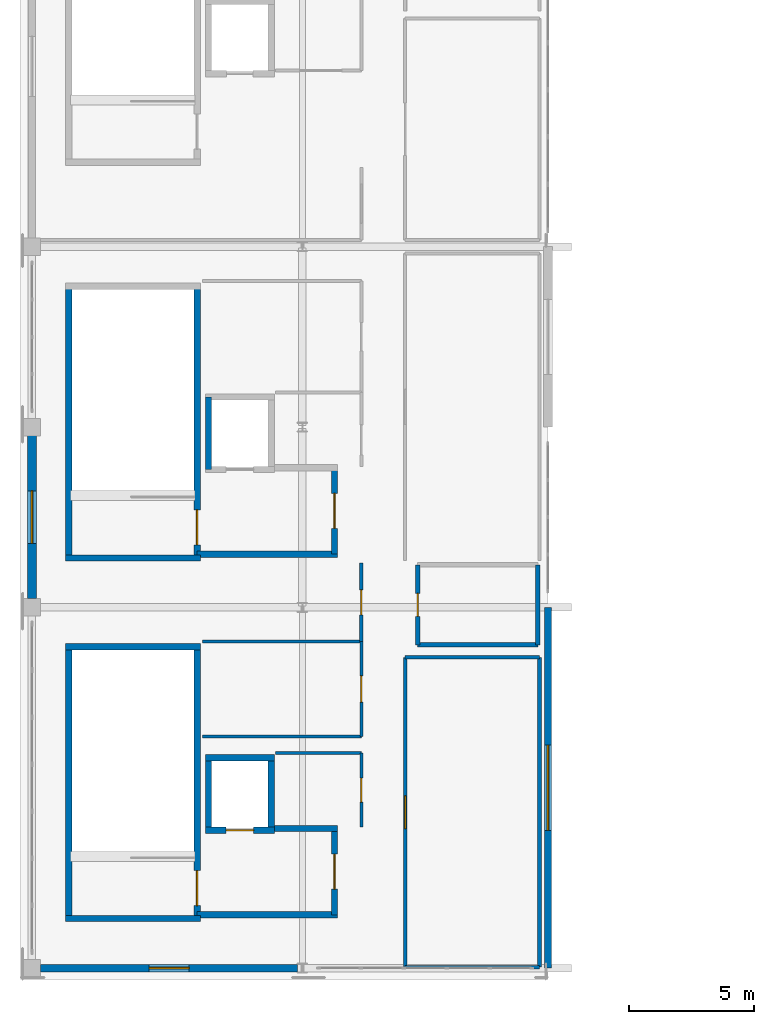
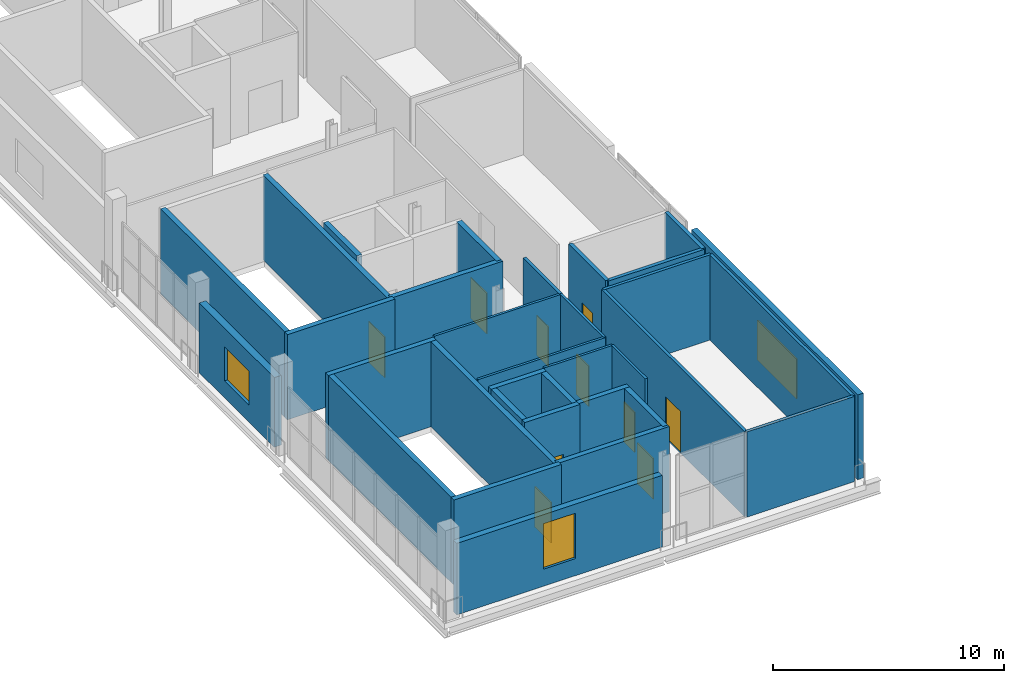
# One storey, part 12 of 19: 33 walls, 10 doors, 3 windows, 13 openings.
"""IFC4 building model written with IfcOpenShell, lengths in metres."""

from ifc_helpers import new_model, si_unit, direction, frame, frame_2d, origin, place, context, subcontext, project, spatial, rectangle, extrude, material, layer, layer_set, type_object, element, fill, save


model = new_model("IFC4")

# Units and contexts
model_context = context("Model", 3, precision=1e-05, world=origin(), true_north=direction((0.0, 1.0)))
body_context = subcontext(model_context, "Body", "Model", "MODEL_VIEW")
ifc_project = project(units=[si_unit("LENGTHUNIT", "METRE"), si_unit("AREAUNIT", "SQUARE_METRE"), si_unit("VOLUMEUNIT", "CUBIC_METRE"), si_unit("PLANEANGLEUNIT", "RADIAN"), si_unit("MASSUNIT", "GRAM", prefix="KILO")], contexts=[model_context])

# Site, building, storey
site_placement = place(None, origin())
site = spatial("IfcSite", under=ifc_project, at=site_placement, CompositionType="ELEMENT")
building_placement = place(site_placement, origin())
building = spatial("IfcBuilding", under=site, at=building_placement, Name="Koshinbarg Plaza Stadium", CompositionType="ELEMENT")
storey_placement = place(building_placement, frame((0.0, 0.0, 29.39990234375)))
storey = spatial("IfcBuildingStorey", under=building, at=storey_placement, Name="L06", CompositionType="ELEMENT", Elevation=29.39990234375)

# Walls
ifc_material_1 = material(Name="Concrete C40/50", Category="concrete")
ifc_layer_1 = layer(ifc_material_1, 0.25)
ifc_layer_set_1 = layer_set([ifc_layer_1], Name="Concrete C40/50")
wall_type_1 = type_object("IfcWallType", Name="WL-CORE-250", PredefinedType="SHEAR", material=ifc_layer_set_1)
for number, where, z_axis, x_axis, name in (
    (1, (25.949951171875, 27.47509765625, 0.0), (0.0, 0.0, 1.0), (1.0, 0.0, 0.0), "L06 core stair shear wall C01-near IWL-L06-0025"),
    (2, (31.320068359375, 38.324951171875, 0.0), (0.0, 0.0, 1.0), (-1.0, 0.0, 0.0), "L06 core stair shear wall C01-far IWL-L06-0026"),
):
    element("IfcWall", number, at=place(storey_placement, frame(where, z_axis=z_axis, x_axis=x_axis)), inside=storey, type_object=wall_type_1, Name=name, PredefinedType="SHEAR", context=body_context, shape_type="SweptSolid", body=[
        extrude(rectangle(XDim=5.3701171875, YDim=0.25, at=frame_2d((2.68505859375, 0.0))), origin(), (0.0, 0.0, 1.0), 4.5),
    ])
wall_1_placement = place(storey_placement, frame((26.074951171875, 27.47509765625, 0.0), z_axis=(0.0, 0.0, 1.0), x_axis=(0.0, 1.0, 0.0)))
element("IfcWall", 3, at=wall_1_placement, inside=storey, type_object=wall_type_1, Name="L06 core stair shear wall C01-left IWL-L06-0027", PredefinedType="SHEAR", context=body_context, shape_type="SweptSolid", body=[
    extrude(rectangle(XDim=10.849853515625, YDim=0.25, at=frame_2d((5.4248046875, 0.0))), origin(), (0.0, 0.0, 1.0), 4.5),
])

# Wall, opening, door
wall_2_placement = place(storey_placement, frame((31.195068359375, 27.47509765625, 0.0), z_axis=(0.0, 0.0, 1.0), x_axis=(0.0, 1.0, 0.0)))
wall_2 = element("IfcWall", 4, at=wall_2_placement, inside=storey, type_object=wall_type_1, Name="L06 core stair shear wall C01-right IWL-L06-0028", PredefinedType="SHEAR", context=body_context, shape_type="SweptSolid", body=[
    extrude(rectangle(XDim=10.849853515625, YDim=0.25, at=frame_2d((5.4248046875, 0.0))), origin(), (0.0, 0.0, 1.0), 4.5),
])
opening_1_placement = place(wall_2_placement, frame((0.52001953125, 0.0, 0.0)))
opening_1 = element("IfcOpeningElement", 5, at=opening_1_placement, cuts=wall_2, Name="Opening D-0067", PredefinedType="OPENING", context=body_context, shape_type="SweptSolid", body=[
    extrude(rectangle(XDim=1.39990234375, YDim=2.14990234375, at=frame_2d((0.699951171875, 1.074951171875))), frame((0.0, 0.135009765625, 0.0), z_axis=(0.0, -1.0, 0.0), x_axis=(1.0, 0.0, 0.0)), (0.0, 0.0, 1.0), 0.27001953125),
])
ifc_material_2 = material(Name="Painted galvanized steel fire door", Category="steel")
door_type_1 = type_object("IfcDoorType", Name="DR-STAIR-1400", OperationType="NOTDEFINED", PredefinedType="DOOR", material=ifc_material_2)
door_1_placement = place(opening_1_placement, origin())
door_1 = element("IfcDoor", 6, at=door_1_placement, inside=storey, type_object=door_type_1, Name="L06 exit stair door C01", OperationType="SINGLE_SWING_LEFT", OverallHeight=2.14990234375, OverallWidth=1.39990234375, PredefinedType="DOOR", context=body_context, shape_type="SweptSolid", body=[
    extrude(rectangle(XDim=1.39990234375, YDim=2.14990234375, at=frame_2d((0.699951171875, 1.074951171875))), frame((0.0, 0.02490234375, 0.0), z_axis=(0.0, -1.0, 0.0), x_axis=(1.0, 0.0, 0.0)), (0.0, 0.0, 1.0), 0.050048828125),
])
fill(opening_1, door_1)

# Walls
wall_3_placement = place(storey_placement, frame((25.949951171875, 41.875, 0.0), z_axis=(0.0, 0.0, 1.0), x_axis=(1.0, 0.0, 0.0)))
element("IfcWall", 7, at=wall_3_placement, inside=storey, type_object=wall_type_1, Name="L06 core stair shear wall C02-near IWL-L06-0053", PredefinedType="SHEAR", context=body_context, shape_type="SweptSolid", body=[
    extrude(rectangle(XDim=5.3701171875, YDim=0.25, at=frame_2d((2.68505859375, 0.0))), origin(), (0.0, 0.0, 1.0), 4.5),
])
wall_4_placement = place(storey_placement, frame((26.074951171875, 41.875, 0.0), z_axis=(0.0, 0.0, 1.0), x_axis=(0.0, 1.0, 0.0)))
element("IfcWall", 8, at=wall_4_placement, inside=storey, type_object=wall_type_1, Name="L06 core stair shear wall C02-left IWL-L06-0055", PredefinedType="SHEAR", context=body_context, shape_type="SweptSolid", body=[
    extrude(rectangle(XDim=10.85009765625, YDim=0.25, at=frame_2d((5.425048828125, 0.0))), origin(), (0.0, 0.0, 1.0), 4.5),
])

# Wall, opening, door
wall_5_placement = place(storey_placement, frame((31.195068359375, 41.875, 0.0), z_axis=(0.0, 0.0, 1.0), x_axis=(0.0, 1.0, 0.0)))
wall_5 = element("IfcWall", 9, at=wall_5_placement, inside=storey, type_object=wall_type_1, Name="L06 core stair shear wall C02-right IWL-L06-0056", PredefinedType="SHEAR", context=body_context, shape_type="SweptSolid", body=[
    extrude(rectangle(XDim=10.85009765625, YDim=0.25, at=frame_2d((5.425048828125, 0.0))), origin(), (0.0, 0.0, 1.0), 4.5),
])
opening_2_placement = place(wall_5_placement, frame((0.52001953125, 0.0, 0.0)))
opening_2 = element("IfcOpeningElement", 10, at=opening_2_placement, cuts=wall_5, Name="Opening D-0074", PredefinedType="OPENING", context=body_context, shape_type="SweptSolid", body=[
    extrude(rectangle(XDim=1.39990234375, YDim=2.14990234375, at=frame_2d((0.699951171875, 1.074951171875))), frame((0.0, 0.135009765625, 0.0), z_axis=(0.0, -1.0, 0.0), x_axis=(1.0, 0.0, 0.0)), (0.0, 0.0, 1.0), 0.27001953125),
])
door_2_placement = place(opening_2_placement, origin())
door_2 = element("IfcDoor", 11, at=door_2_placement, inside=storey, type_object=door_type_1, Name="L06 exit stair door C02", OperationType="SINGLE_SWING_LEFT", OverallHeight=2.14990234375, OverallWidth=1.39990234375, PredefinedType="DOOR", context=body_context, shape_type="SweptSolid", body=[
    extrude(rectangle(XDim=1.39990234375, YDim=2.14990234375, at=frame_2d((0.699951171875, 1.074951171875))), frame((0.0, 0.02490234375, 0.0), z_axis=(0.0, -1.0, 0.0), x_axis=(1.0, 0.0, 0.0)), (0.0, 0.0, 1.0), 0.050048828125),
])
fill(opening_2, door_2)

wall_6_placement = place(storey_placement, frame((31.52490234375, 31.0, 0.0), z_axis=(0.0, 0.0, 1.0), x_axis=(1.0, 0.0, 0.0)))
wall_6 = element("IfcWall", 12, at=wall_6_placement, inside=storey, type_object=wall_type_1, Name="L06 lift shaft shear wall FL01-S IWL-L06-0652", PredefinedType="SHEAR", context=body_context, shape_type="SweptSolid", body=[
    extrude(rectangle(XDim=2.75, YDim=0.25, at=frame_2d((1.375, 0.0))), origin(), (0.0, 0.0, 1.0), 4.5),
])
opening_3_placement = place(wall_6_placement, frame((0.824951171875, 0.0, 0.0)))
opening_3 = element("IfcOpeningElement", 13, at=opening_3_placement, cuts=wall_6, Name="Opening D-0227", PredefinedType="OPENING", context=body_context, shape_type="SweptSolid", body=[
    extrude(rectangle(XDim=1.10009765625, YDim=2.14990234375, at=frame_2d((0.550048828125, 1.074951171875))), frame((0.0, 0.135009765625, 0.0), z_axis=(0.0, -1.0, 0.0), x_axis=(1.0, 0.0, 0.0)), (0.0, 0.0, 1.0), 0.27001953125),
])
ifc_material_3 = material(Name="Brushed stainless steel sliding lift landing door", Category="steel")
door_type_2 = type_object("IfcDoorType", Name="DR-LIFT-1100", OperationType="NOTDEFINED", PredefinedType="DOOR", material=ifc_material_3)
door_3_placement = place(opening_3_placement, origin())
door_3 = element("IfcDoor", 14, at=door_3_placement, inside=storey, type_object=door_type_2, Name="L06 lift landing door FL01", OperationType="SLIDING_TO_RIGHT", OverallHeight=2.14990234375, OverallWidth=1.10009765625, PredefinedType="DOOR", context=body_context, shape_type="SweptSolid", body=[
    extrude(rectangle(XDim=1.10009765625, YDim=2.14990234375, at=frame_2d((0.550048828125, 1.074951171875))), frame((0.0, 0.02490234375, 0.0), z_axis=(0.0, -1.0, 0.0), x_axis=(1.0, 0.0, 0.0)), (0.0, 0.0, 1.0), 0.050048828125),
])
fill(opening_3, door_3)

# Walls
wall_7_placement = place(storey_placement, frame((34.27490234375, 33.89990234375, 0.0), z_axis=(0.0, 0.0, 1.0), x_axis=(-1.0, 0.0, 0.0)))
element("IfcWall", 15, at=wall_7_placement, inside=storey, type_object=wall_type_1, Name="L06 lift shaft shear wall FL01-N IWL-L06-0653", PredefinedType="SHEAR", context=body_context, shape_type="SweptSolid", body=[
    extrude(rectangle(XDim=2.75, YDim=0.25, at=frame_2d((1.375, 0.0))), origin(), (0.0, 0.0, 1.0), 4.5),
])
for number, where, z_axis, x_axis, name in (
    (16, (31.64990234375, 33.89990234375, 0.0), (0.0, 0.0, 1.0), (0.0, -1.0, 0.0), "L06 lift shaft shear wall FL01-W IWL-L06-0654"),
    (17, (34.14990234375, 31.0, 0.0), (0.0, 0.0, 1.0), (0.0, 1.0, 0.0), "L06 lift shaft shear wall FL01-E IWL-L06-0655"),
):
    element("IfcWall", number, at=place(storey_placement, frame(where, z_axis=z_axis, x_axis=x_axis)), inside=storey, type_object=wall_type_1, Name=name, PredefinedType="SHEAR", context=body_context, shape_type="SweptSolid", body=[
        extrude(rectangle(XDim=2.89990234375, YDim=0.25, at=frame_2d((1.449951171875, 0.0))), origin(), (0.0, 0.0, 1.0), 4.5),
    ])

# Wall, opening, door
wall_8_placement = place(storey_placement, frame((36.675048828125, 27.625, 0.0), z_axis=(0.0, 0.0, 1.0), x_axis=(0.0, 1.0, 0.0)))
wall_8 = element("IfcWall", 18, at=wall_8_placement, inside=storey, type_object=wall_type_1, Name="L06 firefighting lobby wall C01-E IWL-L06-0656", PredefinedType="SHEAR", context=body_context, shape_type="SweptSolid", body=[
    extrude(rectangle(XDim=3.449951171875, YDim=0.25, at=frame_2d((1.72509765625, 0.0))), origin(), (0.0, 0.0, 1.0), 4.5),
])
opening_4_placement = place(wall_8_placement, frame((1.02490234375, 0.0, 0.0)))
opening_4 = element("IfcOpeningElement", 19, at=opening_4_placement, cuts=wall_8, Name="Opening D-0228", PredefinedType="OPENING", context=body_context, shape_type="SweptSolid", body=[
    extrude(rectangle(XDim=1.39990234375, YDim=2.14990234375, at=frame_2d((0.699951171875, 1.074951171875))), frame((0.0, 0.135009765625, 0.0), z_axis=(0.0, -1.0, 0.0), x_axis=(1.0, 0.0, 0.0)), (0.0, 0.0, 1.0), 0.27001953125),
])
ifc_material_4 = material(Name="Smoke-sealed steel firefighting lobby door", Category="steel")
door_type_3 = type_object("IfcDoorType", Name="DR-FFLOB-1400", OperationType="NOTDEFINED", PredefinedType="DOOR", material=ifc_material_4)
door_4_placement = place(opening_4_placement, origin())
door_4 = element("IfcDoor", 20, at=door_4_placement, inside=storey, type_object=door_type_3, Name="L06 firefighting lobby fire door C01", OperationType="DOUBLE_DOOR_SINGLE_SWING", OverallHeight=2.14990234375, OverallWidth=1.39990234375, PredefinedType="DOOR", context=body_context, shape_type="SweptSolid", body=[
    extrude(rectangle(XDim=1.39990234375, YDim=2.14990234375, at=frame_2d((0.699951171875, 1.074951171875))), frame((0.0, 0.02490234375, 0.0), z_axis=(0.0, -1.0, 0.0), x_axis=(1.0, 0.0, 0.0)), (0.0, 0.0, 1.0), 0.050048828125),
])
fill(opening_4, door_4)

# Walls
wall_9_placement = place(storey_placement, frame((34.27490234375, 31.074951171875, 0.0), z_axis=(0.0, 0.0, 1.0), x_axis=(1.0, 0.0, 0.0)))
element("IfcWall", 21, at=wall_9_placement, inside=storey, type_object=wall_type_1, Name="L06 firefighting lobby wall C01-NE IWL-L06-0657", PredefinedType="SHEAR", context=body_context, shape_type="SweptSolid", body=[
    extrude(rectangle(XDim=2.525146484375, YDim=0.25, at=frame_2d((1.2626953125, 0.0))), origin(), (0.0, 0.0, 1.0), 4.5),
])
wall_10_placement = place(storey_placement, frame((31.199951171875, 27.625, 0.0), z_axis=(0.0, 0.0, 1.0), x_axis=(1.0, 0.0, 0.0)))
element("IfcWall", 22, at=wall_10_placement, inside=storey, type_object=wall_type_1, Name="L06 firefighting lobby wall C01-S IWL-L06-0658", PredefinedType="SHEAR", context=body_context, shape_type="SweptSolid", body=[
    extrude(rectangle(XDim=5.60009765625, YDim=0.25, at=frame_2d((2.800048828125, 0.0))), origin(), (0.0, 0.0, 1.0), 4.5),
])
wall_11_placement = place(storey_placement, frame((31.64990234375, 48.300048828125, 0.0), z_axis=(0.0, 0.0, 1.0), x_axis=(0.0, -1.0, 0.0)))
element("IfcWall", 23, at=wall_11_placement, inside=storey, type_object=wall_type_1, Name="L06 lift shaft shear wall FL02-W IWL-L06-0703", PredefinedType="SHEAR", context=body_context, shape_type="SweptSolid", body=[
    extrude(rectangle(XDim=2.900146484375, YDim=0.25, at=frame_2d((1.4501953125, 0.0))), origin(), (0.0, 0.0, 1.0), 4.5),
])

# Wall, opening, door
wall_12_placement = place(storey_placement, frame((36.675048828125, 42.02490234375, 0.0), z_axis=(0.0, 0.0, 1.0), x_axis=(0.0, 1.0, 0.0)))
wall_12 = element("IfcWall", 24, at=wall_12_placement, inside=storey, type_object=wall_type_1, Name="L06 firefighting lobby wall C02-E IWL-L06-0705", PredefinedType="SHEAR", context=body_context, shape_type="SweptSolid", body=[
    extrude(rectangle(XDim=3.4501953125, YDim=0.25, at=frame_2d((1.72509765625, 0.0))), origin(), (0.0, 0.0, 1.0), 4.5),
])
opening_5_placement = place(wall_12_placement, frame((1.02490234375, 0.0, 0.0)))
opening_5 = element("IfcOpeningElement", 25, at=opening_5_placement, cuts=wall_12, Name="Opening D-0242", PredefinedType="OPENING", context=body_context, shape_type="SweptSolid", body=[
    extrude(rectangle(XDim=1.39990234375, YDim=2.14990234375, at=frame_2d((0.699951171875, 1.074951171875))), frame((0.0, 0.135009765625, 0.0), z_axis=(0.0, -1.0, 0.0), x_axis=(1.0, 0.0, 0.0)), (0.0, 0.0, 1.0), 0.27001953125),
])
door_5_placement = place(opening_5_placement, origin())
door_5 = element("IfcDoor", 26, at=door_5_placement, inside=storey, type_object=door_type_3, Name="L06 firefighting lobby fire door C02", OperationType="DOUBLE_DOOR_SINGLE_SWING", OverallHeight=2.14990234375, OverallWidth=1.39990234375, PredefinedType="DOOR", context=body_context, shape_type="SweptSolid", body=[
    extrude(rectangle(XDim=1.39990234375, YDim=2.14990234375, at=frame_2d((0.699951171875, 1.074951171875))), frame((0.0, 0.02490234375, 0.0), z_axis=(0.0, -1.0, 0.0), x_axis=(1.0, 0.0, 0.0)), (0.0, 0.0, 1.0), 0.050048828125),
])
fill(opening_5, door_5)

# Wall
wall_13_placement = place(storey_placement, frame((31.199951171875, 42.02490234375, 0.0), z_axis=(0.0, 0.0, 1.0), x_axis=(1.0, 0.0, 0.0)))
element("IfcWall", 27, at=wall_13_placement, inside=storey, type_object=wall_type_1, Name="L06 firefighting lobby wall C02-S IWL-L06-0707", PredefinedType="SHEAR", context=body_context, shape_type="SweptSolid", body=[
    extrude(rectangle(XDim=5.60009765625, YDim=0.25, at=frame_2d((2.800048828125, 0.0))), origin(), (0.0, 0.0, 1.0), 4.5),
])

# Wall, opening, window
ifc_material_5 = material(Name="Terracotta-ochre mineral plaster insulated wall", Category="masonry")
ifc_layer_2 = layer(ifc_material_5, 0.280029296875)
ifc_layer_set_2 = layer_set([ifc_layer_2], Name="Terracotta-ochre mineral plaster insulated wall")
wall_type_2 = type_object("IfcWallType", Name="WL-EXT-280", PredefinedType="SOLIDWALL", material=ifc_layer_set_2)
wall_14_placement = place(storey_placement, frame((45.199951171875, 39.89990234375, 0.0), z_axis=(0.0, 0.0, 1.0), x_axis=(0.0, -1.0, 0.0)))
wall_14 = element("IfcWall", 28, at=wall_14_placement, inside=storey, type_object=wall_type_2, Name="L06 exterior envelope wall EWL-L06-0256", PredefinedType="SOLIDWALL", context=body_context, shape_type="SweptSolid", body=[
    extrude(rectangle(XDim=14.39990234375, YDim=0.280029296875, at=frame_2d((7.199951171875, 0.0))), origin(), (0.0, 0.0, 1.0), 4.47998046875),
])
opening_6_placement = place(wall_14_placement, frame((5.5, 0.0, 0.89990234375)))
opening_6 = element("IfcOpeningElement", 29, at=opening_6_placement, cuts=wall_14, Name="Opening WN18", PredefinedType="OPENING", context=body_context, shape_type="SweptSolid", body=[
    extrude(rectangle(XDim=3.39990234375, YDim=2.10009765625, at=frame_2d((1.699951171875, 1.050048828125))), frame((0.0, 0.14990234375, 0.0), z_axis=(0.0, -1.0, 0.0), x_axis=(1.0, 0.0, 0.0)), (0.0, 0.0, 1.0), 0.300048828125),
])
ifc_material_6 = material(Name="Solar-control double glazing in thermally broken aluminium frame", Category="aluminium")
window_type_1 = type_object("IfcWindowType", Name="WN-FAC-18", PartitioningType="DOUBLE_PANEL_VERTICAL", PredefinedType="WINDOW", material=ifc_material_6)
window_1_placement = place(opening_6_placement, origin())
window_1 = element("IfcWindow", 30, at=window_1_placement, inside=storey, type_object=window_type_1, Name="L06 facade window 0186", OverallHeight=2.10009765625, OverallWidth=3.39990234375, PartitioningType="SINGLE_PANEL", PredefinedType="WINDOW", context=body_context, shape_type="SweptSolid", body=[
    extrude(rectangle(XDim=3.39990234375, YDim=2.10009765625, at=frame_2d((1.699951171875, 1.050048828125))), frame((0.0, 0.030029296875, 0.0), z_axis=(0.0, -1.0, 0.0), x_axis=(1.0, 0.0, 0.0)), (0.0, 0.0, 1.0), 0.06005859375),
])
fill(opening_6, window_1)

ifc_material_7 = material(Name="Off-white mineral plaster insulated wall", Category="masonry")
ifc_layer_3 = layer(ifc_material_7, 0.300048828125)
ifc_layer_set_3 = layer_set([ifc_layer_3], Name="Off-white mineral plaster insulated wall")
wall_type_3 = type_object("IfcWallType", Name="WL-EXT-300", PredefinedType="SOLIDWALL", material=ifc_layer_set_3)
wall_15_placement = place(storey_placement, frame((35.20751953125, 25.5, 0.0), z_axis=(0.0, 0.0, 1.0), x_axis=(-1.0, 0.0, 0.0)))
wall_15 = element("IfcWall", 31, at=wall_15_placement, inside=storey, type_object=wall_type_3, Name="L06 exterior envelope wall EWL-L06-0257", PredefinedType="SOLIDWALL", context=body_context, shape_type="SweptSolid", body=[
    extrude(rectangle(XDim=10.262451171875, YDim=0.300048828125, at=frame_2d((5.13134765625, 0.0))), origin(), (0.0, 0.0, 1.0), 3.780029296875),
])
opening_7_placement = place(wall_15_placement, frame((4.331298828125, 0.0, 0.89990234375)))
opening_7 = element("IfcOpeningElement", 32, at=opening_7_placement, cuts=wall_15, Name="Opening WN19", PredefinedType="OPENING", context=body_context, shape_type="SweptSolid", body=[
    extrude(rectangle(XDim=1.60009765625, YDim=2.39990234375, at=frame_2d((0.800048828125, 1.199951171875))), frame((0.0, 0.159912109375, 0.0), z_axis=(0.0, -1.0, 0.0), x_axis=(1.0, 0.0, 0.0)), (0.0, 0.0, 1.0), 0.320068359375),
])
window_type_2 = type_object("IfcWindowType", Name="WN-FAC-19", PartitioningType="DOUBLE_PANEL_VERTICAL", PredefinedType="WINDOW", material=ifc_material_6)
window_2_placement = place(opening_7_placement, origin())
window_2 = element("IfcWindow", 33, at=window_2_placement, inside=storey, type_object=window_type_2, Name="L06 facade window 0187", OverallHeight=2.39990234375, OverallWidth=1.60009765625, PartitioningType="SINGLE_PANEL", PredefinedType="WINDOW", context=body_context, shape_type="SweptSolid", body=[
    extrude(rectangle(XDim=1.60009765625, YDim=2.39990234375, at=frame_2d((0.800048828125, 1.199951171875))), frame((0.0, 0.030029296875, 0.0), z_axis=(0.0, -1.0, 0.0), x_axis=(1.0, 0.0, 0.0)), (0.0, 0.0, 1.0), 0.06005859375),
])
fill(opening_7, window_2)

ifc_material_8 = material(Name="Acoustic insulated masonry stadium wall", Category="masonry")
ifc_layer_4 = layer(ifc_material_8, 0.35009765625)
ifc_layer_set_4 = layer_set([ifc_layer_4], Name="Acoustic insulated masonry stadium wall")
wall_type_4 = type_object("IfcWallType", Name="WL-EXT-350", PredefinedType="SOLIDWALL", material=ifc_layer_set_4)
wall_16_placement = place(storey_placement, frame((24.60009765625, 40.2451171875, 0.0), z_axis=(0.0, 0.0, 1.0), x_axis=(0.0, 1.0, 0.0)))
wall_16 = element("IfcWall", 34, at=wall_16_placement, inside=storey, type_object=wall_type_4, Name="L06 exterior envelope wall EWL-L06-0247", PredefinedType="SOLIDWALL", context=body_context, shape_type="SweptSolid", body=[
    extrude(rectangle(XDim=6.509765625, YDim=0.35009765625, at=frame_2d((3.2548828125, 0.0))), origin(), (0.0, 0.0, 1.0), 3.68017578125),
])
opening_8_placement = place(wall_16_placement, frame((2.205078125, 0.0, 0.89990234375)))
opening_8 = element("IfcOpeningElement", 35, at=opening_8_placement, cuts=wall_16, Name="Opening WN10", PredefinedType="OPENING", context=body_context, shape_type="SweptSolid", body=[
    extrude(rectangle(XDim=2.10009765625, YDim=1.800048828125, at=frame_2d((1.050048828125, 0.89990234375))), frame((0.0, 0.18505859375, 0.0), z_axis=(0.0, -1.0, 0.0), x_axis=(1.0, 0.0, 0.0)), (0.0, 0.0, 1.0), 0.3701171875),
])
window_type_3 = type_object("IfcWindowType", Name="WN-FAC-10", PartitioningType="DOUBLE_PANEL_VERTICAL", PredefinedType="WINDOW", material=ifc_material_6)
window_3_placement = place(opening_8_placement, origin())
window_3 = element("IfcWindow", 36, at=window_3_placement, inside=storey, type_object=window_type_3, Name="L06 facade window 0178", OverallHeight=1.800048828125, OverallWidth=2.10009765625, PartitioningType="SINGLE_PANEL", PredefinedType="WINDOW", context=body_context, shape_type="SweptSolid", body=[
    extrude(rectangle(XDim=2.10009765625, YDim=1.800048828125, at=frame_2d((1.050048828125, 0.89990234375))), frame((0.0, 0.030029296875, 0.0), z_axis=(0.0, -1.0, 0.0), x_axis=(1.0, 0.0, 0.0)), (0.0, 0.0, 1.0), 0.06005859375),
])
fill(opening_8, window_3)

# Wall, opening, door
ifc_material_9 = material(Name="Gypsum board metal-stud acoustic partition")
ifc_layer_5 = layer(ifc_material_9, 0.1201171875)
ifc_layer_set_5 = layer_set([ifc_layer_5], Name="Gypsum board metal-stud acoustic partition")
wall_type_5 = type_object("IfcWallType", Name="WL-PART-120", PredefinedType="PARTITIONING", material=ifc_layer_set_5)
wall_17_placement = place(storey_placement, frame((37.75, 31.1298828125, 0.0), z_axis=(0.0, 0.0, 1.0), x_axis=(0.0, 1.0, 0.0)))
wall_17 = element("IfcWall", 37, at=wall_17_placement, inside=storey, type_object=wall_type_5, Name="L06 interior partition L06-21-east IWL-L06-2389", PredefinedType="PARTITIONING", context=body_context, shape_type="SweptSolid", body=[
    extrude(rectangle(XDim=2.9501953125, YDim=0.1201171875, at=frame_2d((1.47509765625, 0.0))), origin(), (0.0, 0.0, 1.0), 4.5),
])
opening_9_placement = place(wall_17_placement, frame((0.9951171875, 0.0, 0.0)))
opening_9 = element("IfcOpeningElement", 38, at=opening_9_placement, cuts=wall_17, Name="Opening D-0828", PredefinedType="OPENING", context=body_context, shape_type="SweptSolid", body=[
    extrude(rectangle(XDim=0.9599609375, YDim=2.10009765625, at=frame_2d((0.47998046875, 1.050048828125))), frame((0.0, 0.070068359375, 0.0), z_axis=(0.0, -1.0, 0.0), x_axis=(1.0, 0.0, 0.0)), (0.0, 0.0, 1.0), 0.14013671875),
])
ifc_material_10 = material(Name="Solid-core oak veneer acoustic door")
door_type_4 = type_object("IfcDoorType", Name="DR-INT-0960x2100", OperationType="NOTDEFINED", PredefinedType="DOOR", material=ifc_material_10)
door_6_placement = place(opening_9_placement, origin())
door_6 = element("IfcDoor", 39, at=door_6_placement, inside=storey, type_object=door_type_4, Name="L06 Sky Observatory Salon door D-0828", OperationType="SINGLE_SWING_RIGHT", OverallHeight=2.10009765625, OverallWidth=0.9599609375, PredefinedType="DOOR", context=body_context, shape_type="SweptSolid", body=[
    extrude(rectangle(XDim=0.9599609375, YDim=2.10009765625, at=frame_2d((0.47998046875, 1.050048828125))), frame((0.0, 0.02490234375, 0.0), z_axis=(0.0, -1.0, 0.0), x_axis=(1.0, 0.0, 0.0)), (0.0, 0.0, 1.0), 0.050048828125),
])
fill(opening_9, door_6)

# Walls
wall_18_placement = place(storey_placement, frame((37.75, 34.080078125, 0.0), z_axis=(0.0, 0.0, 1.0), x_axis=(-1.0, 0.0, 0.0)))
element("IfcWall", 40, at=wall_18_placement, inside=storey, type_object=wall_type_5, Name="L06 interior partition L06-21-north IWL-L06-2390", PredefinedType="PARTITIONING", context=body_context, shape_type="SweptSolid", body=[
    extrude(rectangle(XDim=3.419921875, YDim=0.1201171875, at=frame_2d((1.7099609375, 0.0))), origin(), (0.0, 0.0, 1.0), 4.5),
])
wall_19_placement = place(storey_placement, frame((31.39990234375, 34.74951171875, 0.0), z_axis=(0.0, 0.0, 1.0), x_axis=(1.0, 0.0, 0.0)))
element("IfcWall", 41, at=wall_19_placement, inside=storey, type_object=wall_type_5, Name="L06 interior partition L06-23-south IWL-L06-2392", PredefinedType="PARTITIONING", context=body_context, shape_type="SweptSolid", body=[
    extrude(rectangle(XDim=6.35009765625, YDim=0.1201171875, at=frame_2d((3.175048828125, 0.0))), origin(), (0.0, 0.0, 1.0), 4.5),
])

# Wall, opening, door
wall_20_placement = place(storey_placement, frame((37.75, 34.74951171875, 0.0), z_axis=(0.0, 0.0, 1.0), x_axis=(0.0, 1.0, 0.0)))
wall_20 = element("IfcWall", 42, at=wall_20_placement, inside=storey, type_object=wall_type_5, Name="L06 interior partition L06-23-east IWL-L06-2393", PredefinedType="PARTITIONING", context=body_context, shape_type="SweptSolid", body=[
    extrude(rectangle(XDim=3.780517578125, YDim=0.1201171875, at=frame_2d((1.89013671875, 0.0))), origin(), (0.0, 0.0, 1.0), 4.5),
])
opening_10_placement = place(wall_20_placement, frame((1.365234375, 0.0, 0.0)))
opening_10 = element("IfcOpeningElement", 43, at=opening_10_placement, cuts=wall_20, Name="Opening D-0830", PredefinedType="OPENING", context=body_context, shape_type="SweptSolid", body=[
    extrude(rectangle(XDim=1.050048828125, YDim=2.14990234375, at=frame_2d((0.52490234375, 1.074951171875))), frame((0.0, 0.070068359375, 0.0), z_axis=(0.0, -1.0, 0.0), x_axis=(1.0, 0.0, 0.0)), (0.0, 0.0, 1.0), 0.14013671875),
])
ifc_material_11 = material(Name="Solid-core oak suite entrance door")
door_type_5 = type_object("IfcDoorType", Name="DR-INT-1050x2150", OperationType="NOTDEFINED", PredefinedType="DOOR", material=ifc_material_11)
door_7_placement = place(opening_10_placement, origin())
door_7 = element("IfcDoor", 44, at=door_7_placement, inside=storey, type_object=door_type_5, Name="L06 Championship Trophy Hall door D-0830", OperationType="SINGLE_SWING_RIGHT", OverallHeight=2.14990234375, OverallWidth=1.050048828125, PredefinedType="DOOR", context=body_context, shape_type="SweptSolid", body=[
    extrude(rectangle(XDim=1.050048828125, YDim=2.14990234375, at=frame_2d((0.52490234375, 1.074951171875))), frame((0.0, 0.02490234375, 0.0), z_axis=(0.0, -1.0, 0.0), x_axis=(1.0, 0.0, 0.0)), (0.0, 0.0, 1.0), 0.050048828125),
])
fill(opening_10, door_7)

# Wall
wall_21_placement = place(storey_placement, frame((37.75, 38.530029296875, 0.0), z_axis=(0.0, 0.0, 1.0), x_axis=(-1.0, 0.0, 0.0)))
element("IfcWall", 45, at=wall_21_placement, inside=storey, type_object=wall_type_5, Name="L06 interior partition L06-23-north IWL-L06-2394", PredefinedType="PARTITIONING", context=body_context, shape_type="SweptSolid", body=[
    extrude(rectangle(XDim=6.35009765625, YDim=0.1201171875, at=frame_2d((3.175048828125, 0.0))), origin(), (0.0, 0.0, 1.0), 4.5),
])

# Wall, opening, door
ifc_material_12 = material(Name="Double-layer gypsum acoustic suite partition")
ifc_layer_6 = layer(ifc_material_12, 0.14990234375)
ifc_layer_set_6 = layer_set([ifc_layer_6], Name="Double-layer gypsum acoustic suite partition")
wall_type_6 = type_object("IfcWallType", Name="WL-PART-150", PredefinedType="PARTITIONING", material=ifc_layer_set_6)
wall_22_placement = place(storey_placement, frame((37.75, 38.530029296875, 0.0), z_axis=(0.0, 0.0, 1.0), x_axis=(0.0, 1.0, 0.0)))
wall_22 = element("IfcWall", 46, at=wall_22_placement, inside=storey, type_object=wall_type_6, Name="L06 interior partition L06-22-east IWL-L06-2391", PredefinedType="PARTITIONING", context=body_context, shape_type="SweptSolid", body=[
    extrude(rectangle(XDim=3.139892578125, YDim=0.14990234375, at=frame_2d((1.56982421875, 0.0))), origin(), (0.0, 0.0, 1.0), 4.5),
])
opening_11_placement = place(wall_22_placement, frame((1.070068359375, 0.0, 0.0)))
opening_11 = element("IfcOpeningElement", 47, at=opening_11_placement, cuts=wall_22, Name="Opening D-0829", PredefinedType="OPENING", context=body_context, shape_type="SweptSolid", body=[
    extrude(rectangle(XDim=1.0, YDim=2.10009765625, at=frame_2d((0.5, 1.050048828125))), frame((0.0, 0.0849609375, 0.0), z_axis=(0.0, -1.0, 0.0), x_axis=(1.0, 0.0, 0.0)), (0.0, 0.0, 1.0), 0.169921875),
])
ifc_material_13 = material(Name="Solid-core laminate accessible WC door")
door_type_6 = type_object("IfcDoorType", Name="DR-INT-1000x2100", OperationType="NOTDEFINED", PredefinedType="DOOR", material=ifc_material_13)
door_8_placement = place(opening_11_placement, origin())
door_8 = element("IfcDoor", 48, at=door_8_placement, inside=storey, type_object=door_type_6, Name="L06 Broadcast Camera and VAR Control door D-0829", OperationType="SINGLE_SWING_LEFT", OverallHeight=2.10009765625, OverallWidth=1.0, PredefinedType="DOOR", context=body_context, shape_type="SweptSolid", body=[
    extrude(rectangle(XDim=1.0, YDim=2.10009765625, at=frame_2d((0.5, 1.050048828125))), frame((0.0, 0.02490234375, 0.0), z_axis=(0.0, -1.0, 0.0), x_axis=(1.0, 0.0, 0.0)), (0.0, 0.0, 1.0), 0.050048828125),
])
fill(opening_11, door_8)

# Walls
wall_23_placement = place(storey_placement, frame((39.5, 25.534912109375, 0.0), z_axis=(0.0, 0.0, 1.0), x_axis=(1.0, 0.0, 0.0)))
element("IfcWall", 49, at=wall_23_placement, inside=storey, type_object=wall_type_6, Name="L06 interior partition L06-26-south IWL-L06-2399", PredefinedType="PARTITIONING", context=body_context, shape_type="SweptSolid", body=[
    extrude(rectangle(XDim=5.360107421875, YDim=0.14990234375, at=frame_2d((2.68017578125, 0.0))), origin(), (0.0, 0.0, 1.0), 4.5),
])
wall_24_placement = place(storey_placement, frame((44.860107421875, 25.534912109375, 0.0), z_axis=(0.0, 0.0, 1.0), x_axis=(0.0, 1.0, 0.0)))
element("IfcWall", 50, at=wall_24_placement, inside=storey, type_object=wall_type_6, Name="L06 interior partition L06-26-east IWL-L06-2400", PredefinedType="PARTITIONING", context=body_context, shape_type="SweptSolid", body=[
    extrude(rectangle(XDim=12.369873046875, YDim=0.14990234375, at=frame_2d((6.18505859375, 0.0))), origin(), (0.0, 0.0, 1.0), 4.5),
])
wall_25_placement = place(storey_placement, frame((44.860107421875, 37.90478515625, 0.0), z_axis=(0.0, 0.0, 1.0), x_axis=(-1.0, 0.0, 0.0)))
element("IfcWall", 51, at=wall_25_placement, inside=storey, type_object=wall_type_6, Name="L06 interior partition L06-26-north IWL-L06-2401", PredefinedType="PARTITIONING", context=body_context, shape_type="SweptSolid", body=[
    extrude(rectangle(XDim=5.360107421875, YDim=0.14990234375, at=frame_2d((2.68017578125, 0.0))), origin(), (0.0, 0.0, 1.0), 4.5),
])

# Wall, opening, door
wall_26_placement = place(storey_placement, frame((39.5, 37.90478515625, 0.0), z_axis=(0.0, 0.0, 1.0), x_axis=(0.0, -1.0, 0.0)))
wall_26 = element("IfcWall", 52, at=wall_26_placement, inside=storey, type_object=wall_type_6, Name="L06 interior partition L06-26-west IWL-L06-2402", PredefinedType="PARTITIONING", context=body_context, shape_type="SweptSolid", body=[
    extrude(rectangle(XDim=12.369873046875, YDim=0.14990234375, at=frame_2d((6.18505859375, 0.0))), origin(), (0.0, 0.0, 1.0), 4.5),
])
opening_12_placement = place(wall_26_placement, frame((5.534912109375, 0.0, 0.0)))
opening_12 = element("IfcOpeningElement", 53, at=opening_12_placement, cuts=wall_26, Name="Opening D-0833", PredefinedType="OPENING", context=body_context, shape_type="SweptSolid", body=[
    extrude(rectangle(XDim=1.300048828125, YDim=2.199951171875, at=frame_2d((0.64990234375, 1.10009765625))), frame((0.0, 0.0849609375, 0.0), z_axis=(0.0, -1.0, 0.0), x_axis=(1.0, 0.0, 0.0)), (0.0, 0.0, 1.0), 0.169921875),
])
ifc_material_14 = material(Name="Thermally broken anodised aluminium glazed door", Category="aluminium")
door_type_7 = type_object("IfcDoorType", Name="DR-INT-1300x2200", OperationType="NOTDEFINED", PredefinedType="DOOR", material=ifc_material_14)
door_9_placement = place(opening_12_placement, origin())
door_9 = element("IfcDoor", 54, at=door_9_placement, inside=storey, type_object=door_type_7, Name="L06 Broadcast Camera and VAR Control door D-0833", OperationType="SINGLE_SWING_LEFT", OverallHeight=2.199951171875, OverallWidth=1.300048828125, PredefinedType="DOOR", context=body_context, shape_type="SweptSolid", body=[
    extrude(rectangle(XDim=1.300048828125, YDim=2.199951171875, at=frame_2d((0.64990234375, 1.10009765625))), frame((0.0, 0.02490234375, 0.0), z_axis=(0.0, -1.0, 0.0), x_axis=(1.0, 0.0, 0.0)), (0.0, 0.0, 1.0), 0.050048828125),
])
fill(opening_12, door_9)

# Walls
ifc_material_15 = material(Name="Moisture-resistant tiled sanitary partition")
ifc_layer_7 = layer(ifc_material_15, 0.179931640625)
ifc_layer_set_7 = layer_set([ifc_layer_7], Name="Moisture-resistant tiled sanitary partition")
wall_type_7 = type_object("IfcWallType", Name="WL-PART-180", PredefinedType="PARTITIONING", material=ifc_layer_set_7)
wall_27_placement = place(storey_placement, frame((40.0, 38.39990234375, 0.0), z_axis=(0.0, 0.0, 1.0), x_axis=(1.0, 0.0, 0.0)))
element("IfcWall", 55, at=wall_27_placement, inside=storey, type_object=wall_type_7, Name="L06 interior partition L06-18-south IWL-L06-2381", PredefinedType="PARTITIONING", context=body_context, shape_type="SweptSolid", body=[
    extrude(rectangle(XDim=4.800048828125, YDim=0.179931640625, at=frame_2d((2.39990234375, 0.0))), origin(), (0.0, 0.0, 1.0), 4.5),
])
wall_28_placement = place(storey_placement, frame((44.800048828125, 38.39990234375, 0.0), z_axis=(0.0, 0.0, 1.0), x_axis=(0.0, 1.0, 0.0)))
element("IfcWall", 56, at=wall_28_placement, inside=storey, type_object=wall_type_7, Name="L06 interior partition L06-18-east IWL-L06-2382", PredefinedType="PARTITIONING", context=body_context, shape_type="SweptSolid", body=[
    extrude(rectangle(XDim=3.2001953125, YDim=0.179931640625, at=frame_2d((1.60009765625, 0.0))), origin(), (0.0, 0.0, 1.0), 4.5),
])

# Wall, opening, door
wall_29_placement = place(storey_placement, frame((40.0, 41.60009765625, 0.0), z_axis=(0.0, 0.0, 1.0), x_axis=(0.0, -1.0, 0.0)))
wall_29 = element("IfcWall", 57, at=wall_29_placement, inside=storey, type_object=wall_type_7, Name="L06 interior partition L06-18-west IWL-L06-2384", PredefinedType="PARTITIONING", context=body_context, shape_type="SweptSolid", body=[
    extrude(rectangle(XDim=3.2001953125, YDim=0.179931640625, at=frame_2d((1.60009765625, 0.0))), origin(), (0.0, 0.0, 1.0), 4.5),
])
opening_13_placement = place(wall_29_placement, frame((1.139892578125, 0.0, 0.0)))
opening_13 = element("IfcOpeningElement", 58, at=opening_13_placement, cuts=wall_29, Name="Opening D-0826", PredefinedType="OPENING", context=body_context, shape_type="SweptSolid", body=[
    extrude(rectangle(XDim=0.919921875, YDim=2.10009765625, at=frame_2d((0.4599609375, 1.050048828125))), frame((0.0, 0.099853515625, 0.0), z_axis=(0.0, -1.0, 0.0), x_axis=(1.0, 0.0, 0.0)), (0.0, 0.0, 1.0), 0.199951171875),
])
door_type_8 = type_object("IfcDoorType", Name="DR-INT-0920x2100", OperationType="NOTDEFINED", PredefinedType="DOOR", material=ifc_material_10)
door_10_placement = place(opening_13_placement, origin())
door_10 = element("IfcDoor", 59, at=door_10_placement, inside=storey, type_object=door_type_8, Name="L06 Public Restroom 1 door D-0826", OperationType="SINGLE_SWING_RIGHT", OverallHeight=2.10009765625, OverallWidth=0.919921875, PredefinedType="DOOR", context=body_context, shape_type="SweptSolid", body=[
    extrude(rectangle(XDim=0.919921875, YDim=2.10009765625, at=frame_2d((0.4599609375, 1.050048828125))), frame((0.0, 0.02490234375, 0.0), z_axis=(0.0, -1.0, 0.0), x_axis=(1.0, 0.0, 0.0)), (0.0, 0.0, 1.0), 0.050048828125),
])
fill(opening_13, door_10)

save(model, "model.ifc")
